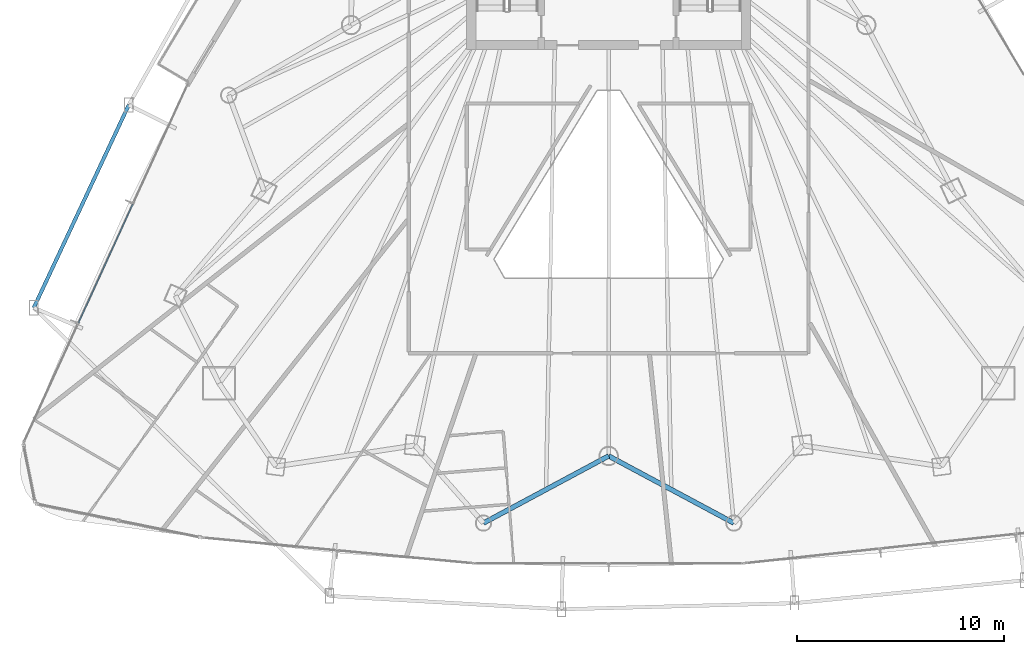
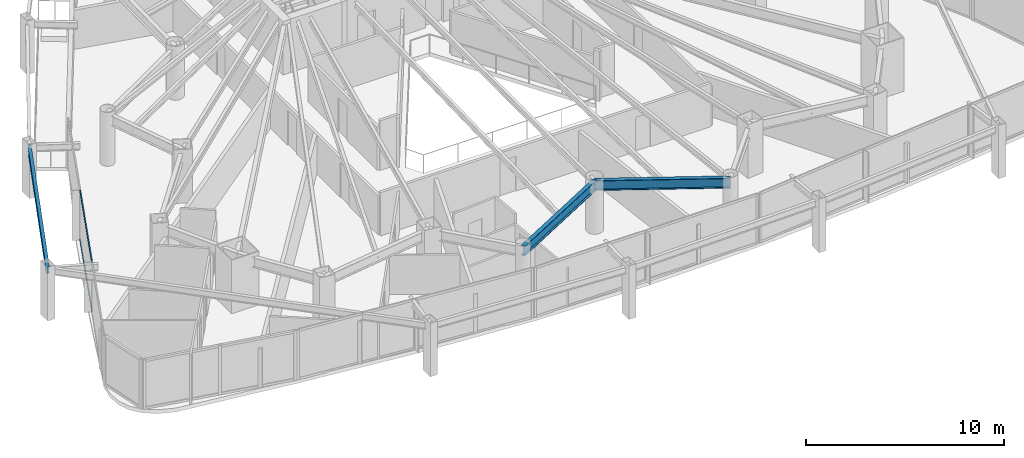
# One storey, part 8 of 37: 3 beams, 2 members, 1 element without a shape of its own.
"""IFC4 building model written with IfcOpenShell, lengths in metres."""

from ifc_helpers import new_model, si_unit, direction, frame, origin, origin_2d, place, context, subcontext, project, spatial, hollow_rectangle, i_section, extrude, material, layer, layer_set, material_profile, profile_set, type_object, element, aggregate, save


model = new_model("IFC4")

# Units and contexts
model_context = context("Model", 3, precision=1e-05, world=origin(), true_north=direction((0.0, 1.0)))
body_context = subcontext(model_context, "Body", "Model", "MODEL_VIEW")
ifc_project = project(units=[si_unit("LENGTHUNIT", "METRE"), si_unit("AREAUNIT", "SQUARE_METRE"), si_unit("VOLUMEUNIT", "CUBIC_METRE"), si_unit("PLANEANGLEUNIT", "RADIAN"), si_unit("MASSUNIT", "GRAM", prefix="KILO")], contexts=[model_context])

# Site, building, storey
site_placement = place(None, origin())
site = spatial("IfcSite", under=ifc_project, at=site_placement, CompositionType="ELEMENT")
building_placement = place(site_placement, origin())
building = spatial("IfcBuilding", under=site, at=building_placement, Name="Orvanel Arch Residences", CompositionType="ELEMENT")
storey_placement = place(building_placement, frame((0.0, 0.0, 53.300048828125)))
storey = spatial("IfcBuildingStorey", under=building, at=storey_placement, Name="L14", CompositionType="ELEMENT", Elevation=53.300048828125)

# Beams
ifc_material_1 = material(Name="Structural steel AS/NZS 3679.1 Grade 300 (300 MPa)", Category="steel")
ifc_material_profile_1 = material_profile(ifc_material_1, i_section(OverallWidth=0.177978515625, OverallDepth=0.406005859375, WebThickness=0.0078125, FlangeThickness=0.0126953125, at=origin_2d()), Name="410UB59.7")
ifc_profile_set_1 = profile_set([ifc_material_profile_1], Name="Structural steel AS/NZS 3679.1 Grade 300 (300 MPa)")
beam_type_1 = type_object("IfcBeamType", Name="OB-410UB-EXT", PredefinedType="SPANDREL", material=ifc_profile_set_1)
beam_placement = place(storey_placement, frame((9.839111328125, 23.782958984375, 2.85693359375), z_axis=(-0.424085984193, -0.905621928848, 0.0), x_axis=(0.905621928848, -0.424085984193, 0.0)))
element("IfcBeam", 1, at=beam_placement, inside=storey, type_object=beam_type_1, Name="L14 Outer Perimeter Floor Ring Beam 03", PredefinedType="SPANDREL", context=body_context, shape_type="SweptSolid", body=[
    extrude(i_section(OverallWidth=0.177978515625, OverallDepth=0.406005859375, WebThickness=0.0078125, FlangeThickness=0.0126953125, at=origin_2d()), origin(), (0.0, 0.0, 1.0), 10.806884765625),
])
ifc_material_profile_2 = material_profile(ifc_material_1, i_section(OverallWidth=0.22900390625, OverallDepth=0.612060546875, WebThickness=0.011962890625, FlangeThickness=0.01953125, at=origin_2d()), Name="610UB125")
ifc_profile_set_2 = profile_set([ifc_material_profile_2], Name="Structural steel AS/NZS 3679.1 Grade 300 (300 MPa)")
beam_type_2 = type_object("IfcBeamType", Name="SP-610UB", PredefinedType="SPANDREL", material=ifc_profile_set_2)
for number, where, z_axis, x_axis, name in (
    (2, (26.9580078125, 3.60498046875, 2.75390625), (0.881344400551, 0.472474388319, 0.0), (-0.472474388319, 0.881344400551, 0.0), "L14 Perimeter Spandrel Beam 06"),
    (3, (33.0, 6.843994140625, 2.75390625), (0.881344400551, -0.472474388319, 0.0), (0.472474388319, 0.881344400551, 0.0), "L14 Perimeter Spandrel Beam 07"),
):
    element("IfcBeam", number, at=place(storey_placement, frame(where, z_axis=z_axis, x_axis=x_axis)), inside=storey, type_object=beam_type_2, Name=name, PredefinedType="SPANDREL", context=body_context, shape_type="SweptSolid", body=[
        extrude(i_section(OverallWidth=0.22900390625, OverallDepth=0.612060546875, WebThickness=0.011962890625, FlangeThickness=0.01953125, at=origin_2d()), origin(), (0.0, 0.0, 1.0), 6.85546875),
    ])

# Curtain wall, members
ifc_material_2 = material(Name="Bronze-anodised aluminium AA6063-T6", Category="aluminium")
ifc_layer = layer(ifc_material_2, 0.179931640625)
ifc_layer_set = layer_set([ifc_layer], Name="Bronze-anodised aluminium AA6063-T6")
curtain_wall_type = type_object("IfcCurtainWallType", Name="CW2-LOW-SYS", PredefinedType="NOTDEFINED", material=ifc_layer_set)
curtain_wall_placement = place(storey_placement, origin())
curtain_wall = element("IfcCurtainWall", 4, at=curtain_wall_placement, inside=storey, type_object=curtain_wall_type, Name="L14 CW2-LOW-SYS Unitised Curtain Wall", PredefinedType="NOTDEFINED")
ifc_material_profile_3 = material_profile(ifc_material_2, hollow_rectangle(XDim=0.06005859375, YDim=0.135009765625, WallThickness=0.00390625, at=origin_2d()), Name="ALU135x60x4")
ifc_profile_set_3 = profile_set([ifc_material_profile_3], Name="Bronze-anodised aluminium AA6063-T6")
member_type = type_object("IfcMemberType", Name="TRN-135x60", PredefinedType="USERDEFINED", material=ifc_profile_set_3)
member_1_placement = place(storey_placement, frame((10.032470703125, 18.988525390625, 0.030029296875), z_axis=(-0.416153334287, -0.909294453058, 0.0), x_axis=(0.909294453058, -0.416153334287, 0.0)))
member_1 = element("IfcMember", 5, at=member_1_placement, type_object=member_type, Name="CW-S2 transom 2.1", ObjectType="TRANSOM", PredefinedType="USERDEFINED", context=body_context, shape_type="SweptSolid", body=[
    extrude(hollow_rectangle(XDim=0.06005859375, YDim=0.135009765625, WallThickness=0.00390625, at=origin_2d()), origin(), (0.0, 0.0, 1.0), 6.288330078125),
])
member_2_placement = place(storey_placement, frame((10.032470703125, 18.988525390625, 3.030029296875), z_axis=(-0.416153334287, -0.909294453058, 0.0), x_axis=(0.909294453058, -0.416153334287, 0.0)))
member_2 = element("IfcMember", 6, at=member_2_placement, type_object=member_type, Name="CW-S2 transom 2.2", ObjectType="TRANSOM", PredefinedType="USERDEFINED", context=body_context, shape_type="SweptSolid", body=[
    extrude(hollow_rectangle(XDim=0.06005859375, YDim=0.135009765625, WallThickness=0.00390625, at=origin_2d()), origin(), (0.0, 0.0, 1.0), 6.288330078125),
])
aggregate(curtain_wall, [member_1, member_2])

save(model, "model.ifc")
